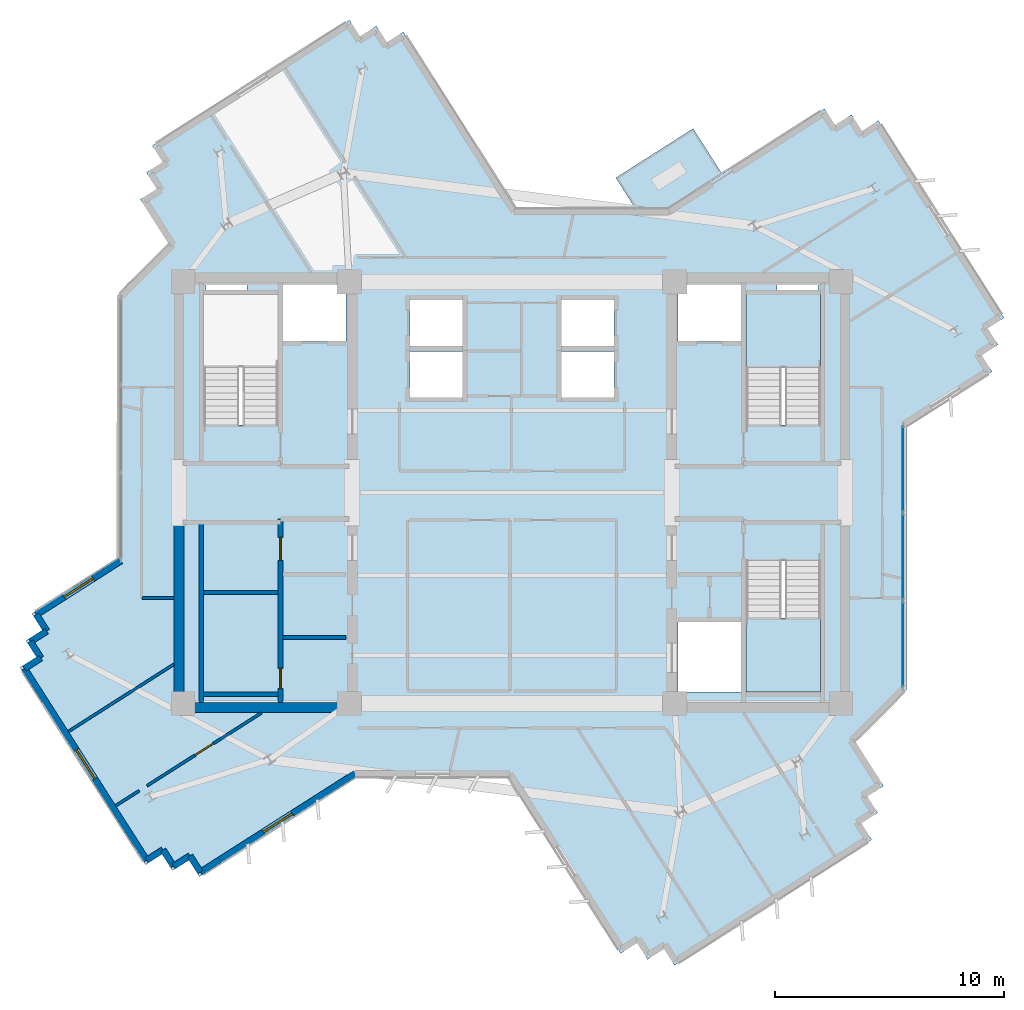
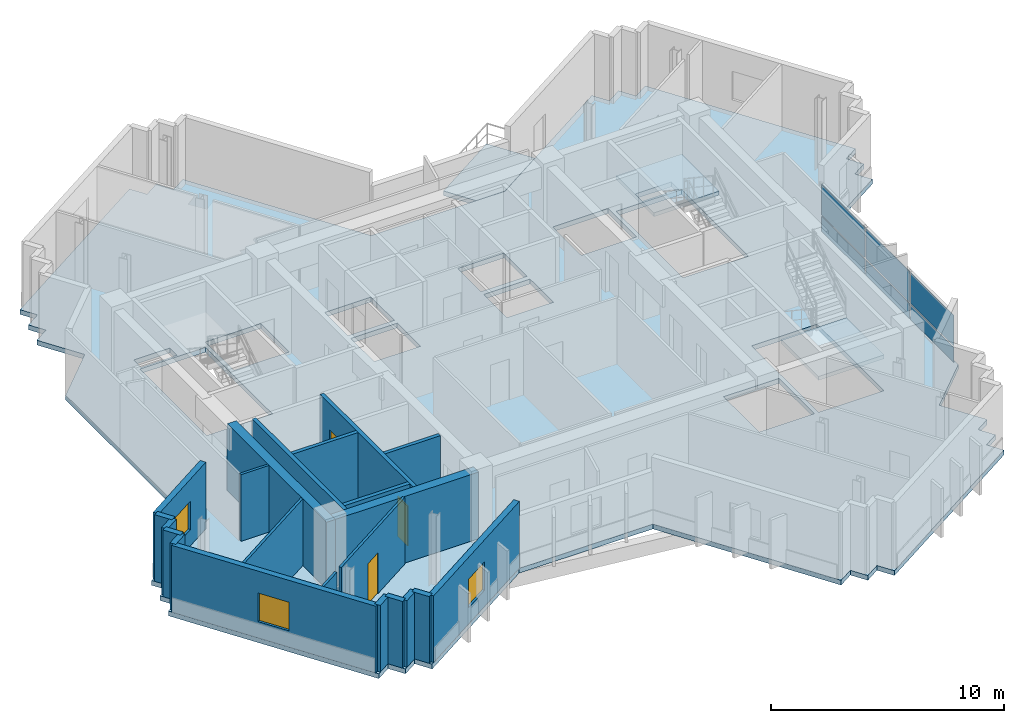
# One storey, part 4 of 12: 22 walls, 6 plates, 4 slabs, 3 doors, 3 windows, 6 openings, 3 elements without a shape of their own.
"""IFC4 building model written with IfcOpenShell, lengths in metres."""

from ifc_helpers import new_model, si_unit, direction, frame, frame_2d, origin, origin_2d, place, context, subcontext, project, spatial, polyline, rectangle, outline, extrude, source, transform, mapped, material, layer, layer_set, type_object, element, fill, aggregate, save


model = new_model("IFC4")

# Units and contexts
model_context = context("Model", 3, precision=1e-05, world=origin(), true_north=direction((0.0, 1.0)))
body_context = subcontext(model_context, "Body", "Model", "MODEL_VIEW")
ifc_project = project(units=[si_unit("LENGTHUNIT", "METRE"), si_unit("AREAUNIT", "SQUARE_METRE"), si_unit("VOLUMEUNIT", "CUBIC_METRE"), si_unit("PLANEANGLEUNIT", "RADIAN"), si_unit("MASSUNIT", "GRAM", prefix="KILO")], contexts=[model_context])

# Site, building, storey
site_placement = place(None, origin())
site = spatial("IfcSite", under=ifc_project, at=site_placement, CompositionType="ELEMENT")
building_placement = place(site_placement, origin())
building = spatial("IfcBuilding", under=site, at=building_placement, Name="Zahravan Cultural Tower", CompositionType="ELEMENT")
storey_placement = place(building_placement, frame((0.0, 0.0, 261.60009765625)))
storey = spatial("IfcBuildingStorey", under=building, at=storey_placement, Name="L62", CompositionType="ELEMENT", Elevation=261.60009765625)

# Stair, slab
ifc_material_1 = material(Name="Concrete C45/55", Category="concrete")
stair_type = type_object("IfcStairType", Name="STR-DL-1550-375", PredefinedType="HALF_TURN_STAIR", material=ifc_material_1)
stair_1_placement = place(storey_placement, origin())
stair_1 = element("IfcStair", 1, at=stair_1_placement, inside=storey, type_object=stair_type, Name="L62 East Core North Exit Stair ST-E1", PredefinedType="HALF_TURN_STAIR")
ifc_layer_1 = layer(ifc_material_1, 0.199951171875)
ifc_layer_set_1 = layer_set([ifc_layer_1], Name="Concrete C45/55")
slab_type_1 = type_object("IfcSlabType", Name="SL-STAIR-LND200", PredefinedType="LANDING", material=ifc_layer_set_1)
slab_1_placement = place(storey_placement, frame((0.0, 0.0, 1.6748046875)))
slab_1 = element("IfcSlab", 2, at=slab_1_placement, type_object=slab_type_1, Name="ST-E1 landing 1", PredefinedType="LANDING", context=body_context, shape_type="SweptSolid", body=[
    extrude(outline(polyline([(49.449951171875, 32.469970703125), (49.449951171875, 35.699951171875), (46.199951171875, 35.699951171875), (46.199951171875, 32.469970703125), (49.449951171875, 32.469970703125)])), origin(), (0.0, 0.0, 1.0), 0.2001953125),
])
aggregate(stair_1, [slab_1])

stair_2_placement = place(storey_placement, origin())
stair_2 = element("IfcStair", 3, at=stair_2_placement, inside=storey, type_object=stair_type, Name="L62 East Core South Exit Stair ST-E2", PredefinedType="HALF_TURN_STAIR")
slab_2_placement = place(storey_placement, frame((0.0, 0.0, 1.6748046875)))
slab_2 = element("IfcSlab", 4, at=slab_2_placement, type_object=slab_type_1, Name="ST-E2 landing 1", PredefinedType="LANDING", context=body_context, shape_type="SweptSolid", body=[
    extrude(outline(polyline([(46.199951171875, 21.530029296875), (46.199951171875, 18.300048828125), (49.449951171875, 18.300048828125), (49.449951171875, 21.530029296875), (46.199951171875, 21.530029296875)])), origin(), (0.0, 0.0, 1.0), 0.2001953125),
])
aggregate(stair_2, [slab_2])

# Slabs
ifc_material_2 = material(Name="Concrete C40/50", Category="concrete")
ifc_layer_2 = layer(ifc_material_2, 0.239990234375)
ifc_layer_set_2 = layer_set([ifc_layer_2], Name="Concrete C40/50")
slab_type_2 = type_object("IfcSlabType", Name="SL-TERR-240", PredefinedType="FLOOR", material=ifc_layer_set_2)
slab_3_placement = place(storey_placement, frame((0.0, 0.0, -0.239990234375)))
element("IfcSlab", 5, at=slab_3_placement, inside=storey, type_object=slab_type_2, Name="L62 Planted Sculpture Terrace NE", PredefinedType="FLOOR", context=body_context, shape_type="SweptSolid", body=[
    extrude(outline(polyline([(40.52978515625, 40.73486328125), (41.376708984375, 39.405029296875), (42.806884765625, 39.405029296875), (45.1630859375, 40.90625), (43.9033203125, 42.884033203125), (40.52978515625, 40.73486328125)])), origin(), (0.0, 0.0, 1.0), 0.239990234375),
])
ifc_layer_3 = layer(ifc_material_2, 0.25)
ifc_layer_set_3 = layer_set([ifc_layer_3], Name="Concrete C40/50")
slab_type_3 = type_object("IfcSlabType", Name="SL-TYP-250", PredefinedType="FLOOR", material=ifc_layer_set_3)
slab_4_placement = place(storey_placement, frame((0.0, 0.0, -0.25)))
element("IfcSlab", 6, at=slab_4_placement, inside=storey, type_object=slab_type_3, Name="L62 Structural Floor Slab", PredefinedType="FLOOR", context=body_context, shape_type="SweptSolid", body=[
    extrude(outline(polyline([(42.80810546875, 39.39990234375), (36.1630859375, 39.39990234375), (31.2578125, 47.099853515625), (30.540771484375, 46.64306640625), (30.083984375, 47.35986328125), (29.3671875, 46.9033203125), (28.910400390625, 47.6201171875), (20.30810546875, 42.1396484375), (20.7646484375, 41.4228515625), (20.0478515625, 40.966064453125), (20.50439453125, 40.249267578125), (19.78759765625, 39.79248046875), (21.034912109375, 37.834716796875), (18.800048828125, 35.60009765625), (18.800048828125, 24.10498046875), (15.056884765625, 21.720458984375), (15.513427734375, 21.00341796875), (14.796630859375, 20.546875), (15.25341796875, 19.829833984375), (14.53662109375, 19.373291015625), (20.016845703125, 10.770751953125), (20.73388671875, 11.227294921875), (21.1904296875, 10.510498046875), (21.907470703125, 10.96728515625), (22.364013671875, 10.250244140625), (29.19189453125, 14.60009765625), (35.8369140625, 14.60009765625), (40.7421875, 6.900146484375), (41.459228515625, 7.35693359375), (41.916015625, 6.64013671875), (42.6328125, 7.0966796875), (43.089599609375, 6.3798828125), (51.69189453125, 11.8603515625), (51.2353515625, 12.5771484375), (51.9521484375, 13.033935546875), (51.49560546875, 13.750732421875), (52.21240234375, 14.20751953125), (50.965087890625, 16.165283203125), (53.199951171875, 18.39990234375), (53.199951171875, 29.89501953125), (56.943115234375, 32.279541015625), (56.486572265625, 32.99658203125), (57.203369140625, 33.453125), (56.74658203125, 34.170166015625), (57.46337890625, 34.626708984375), (51.983154296875, 43.229248046875), (51.26611328125, 42.772705078125), (50.8095703125, 43.489501953125), (50.092529296875, 43.03271484375), (49.635986328125, 43.749755859375), (42.80810546875, 39.39990234375)]), holes=[polyline([(22.550048828125, 29.949951171875), (22.550048828125, 35.699951171875), (25.800048828125, 35.699951171875), (25.800048828125, 29.949951171875), (22.550048828125, 29.949951171875)]), polyline([(46.199951171875, 29.949951171875), (46.199951171875, 35.699951171875), (49.449951171875, 35.699951171875), (49.449951171875, 29.949951171875), (46.199951171875, 29.949951171875)]), polyline([(46.199951171875, 18.300048828125), (46.199951171875, 24.050048828125), (49.449951171875, 24.050048828125), (49.449951171875, 18.300048828125), (46.199951171875, 18.300048828125)]), polyline([(26.0, 33.60009765625), (26.0, 36.050048828125), (28.75, 36.050048828125), (28.75, 33.60009765625), (26.0, 33.60009765625)]), polyline([(43.25, 33.60009765625), (43.25, 36.050048828125), (46.0, 36.050048828125), (46.0, 33.60009765625), (43.25, 33.60009765625)]), polyline([(43.25, 18.300048828125), (43.25, 21.35009765625), (46.0, 21.35009765625), (46.0, 18.300048828125), (43.25, 18.300048828125)]), polyline([(31.550048828125, 33.39990234375), (31.550048828125, 35.39990234375), (33.85009765625, 35.39990234375), (33.85009765625, 33.39990234375), (31.550048828125, 33.39990234375)]), polyline([(31.550048828125, 31.14990234375), (31.550048828125, 33.14990234375), (33.85009765625, 33.14990234375), (33.85009765625, 31.14990234375), (31.550048828125, 31.14990234375)]), polyline([(38.14990234375, 33.39990234375), (38.14990234375, 35.39990234375), (40.449951171875, 35.39990234375), (40.449951171875, 33.39990234375), (38.14990234375, 33.39990234375)]), polyline([(38.14990234375, 31.14990234375), (38.14990234375, 33.14990234375), (40.449951171875, 33.14990234375), (40.449951171875, 31.14990234375), (38.14990234375, 31.14990234375)]), polyline([(22.64990234375, 35.800048828125), (22.64990234375, 36.419921875), (24.449951171875, 36.419921875), (24.449951171875, 35.800048828125), (22.64990234375, 35.800048828125)]), polyline([(47.550048828125, 35.800048828125), (47.550048828125, 36.419921875), (49.35009765625, 36.419921875), (49.35009765625, 35.800048828125), (47.550048828125, 35.800048828125)])]), origin(), (0.0, 0.0, 1.0), 0.25),
])

# Curtain wall, plates
ifc_material_3 = material(Name="Anodised bronze-aluminium mullion", Category="aluminium")
ifc_layer_4 = layer(ifc_material_3, 0.219970703125)
ifc_layer_set_4 = layer_set([ifc_layer_4], Name="Anodised bronze-aluminium mullion")
curtain_wall_type = type_object("IfcCurtainWallType", Name="CW-SYS-1", PredefinedType="USERDEFINED", material=ifc_layer_set_4)
curtain_wall_placement = place(storey_placement, origin())
curtain_wall = element("IfcCurtainWall", 7, at=curtain_wall_placement, inside=storey, type_object=curtain_wall_type, Name="L62 Recessed Curtain Wall CW-1.1", ObjectType="RECESSED GLAZING", PredefinedType="USERDEFINED")
ifc_material_4 = material(Name="Low-E solar-control double glazing", Category="glass")
ifc_layer_5 = layer(ifc_material_4, 0.031982421875)
ifc_layer_set_5 = layer_set([ifc_layer_5], Name="Low-E solar-control double glazing")
plate_type = type_object("IfcPlateType", Name="CWP-CW-1", PredefinedType="CURTAIN_PANEL", material=ifc_layer_set_5)
shared_shape_1 = source(origin(), body_context, "Body", "SweptSolid", [
    extrude(rectangle(XDim=3.718017578125, YDim=0.031982421875, at=origin_2d()), origin(), (0.0, 0.0, 1.0), 0.780029296875),
])
plate_1_placement = place(storey_placement, frame((53.06005859375, 28.03271484375, 0.080078125), z_axis=(0.0, 0.0, 1.0), x_axis=(0.0, -1.0, 0.0)))
plate_1 = element("IfcPlate", 8, at=plate_1_placement, type_object=plate_type, Name="CW-1 panel 1.1", PredefinedType="CURTAIN_PANEL", context=body_context, shape_type="MappedRepresentation", body=[
    mapped(shared_shape_1, transform((0.0, 0.0, 0.0), x_axis=(1.0, 0.0, 0.0), y_axis=(0.0, 1.0, 0.0), z_axis=(0.0, 0.0, 1.0), scale=1.0)),
])
plate_2_placement = place(storey_placement, frame((53.06005859375, 20.39697265625, 0.080078125), z_axis=(0.0, 0.0, 1.0), x_axis=(0.0, -1.0, 0.0)))
plate_2 = element("IfcPlate", 9, at=plate_2_placement, type_object=plate_type, Name="CW-1 panel 3.1", PredefinedType="CURTAIN_PANEL", context=body_context, shape_type="MappedRepresentation", body=[
    mapped(shared_shape_1, transform((0.0, 0.0, 0.0), x_axis=(1.0, 0.0, 0.0), y_axis=(0.0, 1.0, 0.0), z_axis=(0.0, 0.0, 1.0), scale=1.0)),
])
shared_shape_2 = source(origin(), body_context, "Body", "SweptSolid", [
    extrude(rectangle(XDim=3.718017578125, YDim=0.031982421875, at=origin_2d()), origin(), (0.0, 0.0, 1.0), 1.60009765625),
])
plate_3_placement = place(storey_placement, frame((53.06005859375, 28.03271484375, 0.93994140625), z_axis=(0.0, 0.0, 1.0), x_axis=(0.0, -1.0, 0.0)))
plate_3 = element("IfcPlate", 10, at=plate_3_placement, type_object=plate_type, Name="CW-1 panel 1.2", PredefinedType="CURTAIN_PANEL", context=body_context, shape_type="MappedRepresentation", body=[
    mapped(shared_shape_2, transform((0.0, 0.0, 0.0), x_axis=(1.0, 0.0, 0.0), y_axis=(0.0, 1.0, 0.0), z_axis=(0.0, 0.0, 1.0), scale=1.0)),
])
plate_4_placement = place(storey_placement, frame((53.06005859375, 20.39697265625, 0.93994140625), z_axis=(0.0, 0.0, 1.0), x_axis=(0.0, -1.0, 0.0)))
plate_4 = element("IfcPlate", 11, at=plate_4_placement, type_object=plate_type, Name="CW-1 panel 3.2", PredefinedType="CURTAIN_PANEL", context=body_context, shape_type="MappedRepresentation", body=[
    mapped(shared_shape_2, transform((0.0, 0.0, 0.0), x_axis=(1.0, 0.0, 0.0), y_axis=(0.0, 1.0, 0.0), z_axis=(0.0, 0.0, 1.0), scale=1.0)),
])
shared_shape_3 = source(origin(), body_context, "Body", "SweptSolid", [
    extrude(rectangle(XDim=3.7578125, YDim=0.031982421875, at=origin_2d()), origin(), (0.0, 0.0, 1.0), 0.780029296875),
])
plate_5_placement = place(storey_placement, frame((53.06005859375, 24.21484375, 0.080078125), z_axis=(0.0, 0.0, 1.0), x_axis=(0.0, -1.0, 0.0)))
plate_5 = element("IfcPlate", 12, at=plate_5_placement, type_object=plate_type, Name="CW-1 panel 2.1", PredefinedType="CURTAIN_PANEL", context=body_context, shape_type="MappedRepresentation", body=[
    mapped(shared_shape_3, transform((0.0, 0.0, 0.0), x_axis=(1.0, 0.0, 0.0), y_axis=(0.0, 1.0, 0.0), z_axis=(0.0, 0.0, 1.0), scale=1.0)),
])
shared_shape_4 = source(origin(), body_context, "Body", "SweptSolid", [
    extrude(rectangle(XDim=3.7578125, YDim=0.031982421875, at=origin_2d()), origin(), (0.0, 0.0, 1.0), 1.60009765625),
])
plate_6_placement = place(storey_placement, frame((53.06005859375, 24.21484375, 0.93994140625), z_axis=(0.0, 0.0, 1.0), x_axis=(0.0, -1.0, 0.0)))
plate_6 = element("IfcPlate", 13, at=plate_6_placement, type_object=plate_type, Name="CW-1 panel 2.2", PredefinedType="CURTAIN_PANEL", context=body_context, shape_type="MappedRepresentation", body=[
    mapped(shared_shape_4, transform((0.0, 0.0, 0.0), x_axis=(1.0, 0.0, 0.0), y_axis=(0.0, 1.0, 0.0), z_axis=(0.0, 0.0, 1.0), scale=1.0)),
])
aggregate(curtain_wall, [plate_1, plate_3, plate_5, plate_6, plate_2, plate_4])

# Wall, opening, window
ifc_material_5 = material(Name="Precast concrete C40/50", Category="concrete")
ifc_layer_6 = layer(ifc_material_5, 0.280029296875)
ifc_layer_set_6 = layer_set([ifc_layer_6], Name="Precast concrete C40/50")
wall_type_1 = type_object("IfcWallType", Name="EW-TC-280", PredefinedType="SOLIDWALL", material=ifc_layer_set_6)
wall_1_placement = place(storey_placement, frame((29.15087890625, 14.739990234375, 0.0), z_axis=(0.0, 0.0, 1.0), x_axis=(-0.843388565396, -0.537304129669, 0.0)))
wall_1 = element("IfcWall", 14, at=wall_1_placement, inside=storey, type_object=wall_type_1, Name="L62 Exterior Masonry Frame Wall 25", PredefinedType="SOLIDWALL", context=body_context, shape_type="SweptSolid", body=[
    extrude(rectangle(XDim=7.99609375, YDim=0.280029296875, at=frame_2d((3.998046875, 0.0))), origin(), (0.0, 0.0, 1.0), 3.5),
])
opening_1_placement = place(wall_1_placement, frame((3.248046875, 0.0, 0.85009765625)))
opening_1 = element("IfcOpeningElement", 15, at=opening_1_placement, cuts=wall_1, Name="Opening WN-03", PredefinedType="OPENING", context=body_context, shape_type="SweptSolid", body=[
    extrude(rectangle(XDim=1.5, YDim=1.5, at=frame_2d((0.75, 0.75))), frame((0.0, 0.14990234375, 0.0), z_axis=(0.0, -1.0, 0.0), x_axis=(1.0, 0.0, 0.0)), (0.0, 0.0, 1.0), 0.300048828125),
])
window_type = type_object("IfcWindowType", Name="WN-REC-1500X1500", PartitioningType="SINGLE_PANEL", PredefinedType="WINDOW", material=ifc_material_4)
shared_shape_5 = source(origin(), body_context, "Body", "SweptSolid", [
    extrude(rectangle(XDim=1.5, YDim=1.5, at=frame_2d((0.75, 0.75))), frame((0.0, 0.030029296875, 0.0), z_axis=(0.0, -1.0, 0.0), x_axis=(1.0, 0.0, 0.0)), (0.0, 0.0, 1.0), 0.06005859375),
])
window_1_placement = place(opening_1_placement, origin())
window_1 = element("IfcWindow", 16, at=window_1_placement, inside=storey, type_object=window_type, Name="L62 Recessed Solar Window 05", OverallHeight=1.5, OverallWidth=1.5, PartitioningType="SINGLE_PANEL", PredefinedType="WINDOW", context=body_context, shape_type="MappedRepresentation", body=[
    mapped(shared_shape_5, transform((0.0, 0.0, 0.0), x_axis=(1.0, 0.0, 0.0), y_axis=(0.0, 1.0, 0.0), z_axis=(0.0, 0.0, 1.0), scale=1.0)),
])
fill(opening_1, window_1)

wall_2_placement = place(storey_placement, frame((20.059814453125, 10.964111328125, 0.0), z_axis=(0.0, 0.0, 1.0), x_axis=(-0.537314949054, 0.843381672508, 0.0)))
wall_2 = element("IfcWall", 17, at=wall_2_placement, inside=storey, type_object=wall_type_1, Name="L62 Exterior Masonry Frame Wall 30", PredefinedType="SOLIDWALL", context=body_context, shape_type="SweptSolid", body=[
    extrude(rectangle(XDim=9.919921875, YDim=0.280029296875, at=frame_2d((4.9599609375, 0.0))), origin(), (0.0, 0.0, 1.0), 3.5),
])
opening_2_placement = place(wall_2_placement, frame((4.2099609375, 0.0, 0.85009765625)))
opening_2 = element("IfcOpeningElement", 18, at=opening_2_placement, cuts=wall_2, Name="Opening WN-03", PredefinedType="OPENING", context=body_context, shape_type="SweptSolid", body=[
    extrude(rectangle(XDim=1.5, YDim=1.5, at=frame_2d((0.75, 0.75))), frame((0.0, 0.14990234375, 0.0), z_axis=(0.0, -1.0, 0.0), x_axis=(1.0, 0.0, 0.0)), (0.0, 0.0, 1.0), 0.300048828125),
])
window_2_placement = place(opening_2_placement, origin())
window_2 = element("IfcWindow", 19, at=window_2_placement, inside=storey, type_object=window_type, Name="L62 Recessed Solar Window 06", OverallHeight=1.5, OverallWidth=1.5, PartitioningType="SINGLE_PANEL", PredefinedType="WINDOW", context=body_context, shape_type="MappedRepresentation", body=[
    mapped(shared_shape_5, transform((0.0, 0.0, 0.0), x_axis=(1.0, 0.0, 0.0), y_axis=(0.0, 1.0, 0.0), z_axis=(0.0, 0.0, 1.0), scale=1.0)),
])
fill(opening_2, window_2)

wall_3_placement = place(storey_placement, frame((15.25, 21.677490234375, 0.0), z_axis=(0.0, 0.0, 1.0), x_axis=(0.843383352012, 0.537312312857, 0.0)))
wall_3 = element("IfcWall", 20, at=wall_3_placement, inside=storey, type_object=wall_type_1, Name="L62 Exterior Masonry Frame Wall 35", PredefinedType="SOLIDWALL", context=body_context, shape_type="SweptSolid", body=[
    extrude(rectangle(XDim=4.375244140625, YDim=0.280029296875, at=frame_2d((2.1875, 0.0))), origin(), (0.0, 0.0, 1.0), 3.5),
])
opening_3_placement = place(wall_3_placement, frame((1.43798828125, 0.0, 0.85009765625)))
opening_3 = element("IfcOpeningElement", 21, at=opening_3_placement, cuts=wall_3, Name="Opening WN-03", PredefinedType="OPENING", context=body_context, shape_type="SweptSolid", body=[
    extrude(rectangle(XDim=1.5, YDim=1.5, at=frame_2d((0.75, 0.75))), frame((0.0, 0.14990234375, 0.0), z_axis=(0.0, -1.0, 0.0), x_axis=(1.0, 0.0, 0.0)), (0.0, 0.0, 1.0), 0.300048828125),
])
window_3_placement = place(opening_3_placement, origin())
window_3 = element("IfcWindow", 22, at=window_3_placement, inside=storey, type_object=window_type, Name="L62 Recessed Solar Window 07", OverallHeight=1.5, OverallWidth=1.5, PartitioningType="SINGLE_PANEL", PredefinedType="WINDOW", context=body_context, shape_type="MappedRepresentation", body=[
    mapped(shared_shape_5, transform((0.0, 0.0, 0.0), x_axis=(1.0, 0.0, 0.0), y_axis=(0.0, 1.0, 0.0), z_axis=(0.0, 0.0, 1.0), scale=1.0)),
])
fill(opening_3, window_3)

# Wall, opening, door
ifc_material_6 = material(Name="Gypsum plasterboard partition")
ifc_layer_7 = layer(ifc_material_6, 0.125)
ifc_layer_set_7 = layer_set([ifc_layer_7], Name="Gypsum plasterboard partition")
wall_type_2 = type_object("IfcWallType", Name="W-PART-125", PredefinedType="PARTITIONING", material=ifc_layer_set_7)
wall_4_placement = place(storey_placement, frame((25.073486328125, 17.39501953125, 0.0), z_axis=(0.0, 0.0, 1.0), x_axis=(-0.843398332862, -0.537288797693, 0.0)))
wall_4 = element("IfcWall", 23, at=wall_4_placement, inside=storey, type_object=wall_type_2, Name="L62 Interior Wall 058", PredefinedType="PARTITIONING", context=body_context, shape_type="SweptSolid", body=[
    extrude(rectangle(XDim=5.923583984375, YDim=0.125, at=frame_2d((2.9619140625, 0.0))), origin(), (0.0, 0.0, 1.0), 3.5),
])
opening_4_placement = place(wall_4_placement, frame((2.48681640625, 0.0, 0.0)))
opening_4 = element("IfcOpeningElement", 24, at=opening_4_placement, cuts=wall_4, Name="Opening D-L62-32", PredefinedType="OPENING", context=body_context, shape_type="SweptSolid", body=[
    extrude(rectangle(XDim=0.949951171875, YDim=2.14990234375, at=frame_2d((0.47509765625, 1.074951171875))), frame((0.0, 0.072509765625, 0.0), z_axis=(0.0, -1.0, 0.0), x_axis=(1.0, 0.0, 0.0)), (0.0, 0.0, 1.0), 0.14501953125),
])
door_type_1 = type_object("IfcDoorType", Name="DR-ROOM-950", OperationType="NOTDEFINED", PredefinedType="DOOR", material=ifc_material_3)
shared_shape_6 = source(origin(), body_context, "Body", "SweptSolid", [
    extrude(rectangle(XDim=0.949951171875, YDim=2.14990234375, at=frame_2d((0.47509765625, 1.074951171875))), frame((0.0, 0.02490234375, 0.0), z_axis=(0.0, -1.0, 0.0), x_axis=(1.0, 0.0, 0.0)), (0.0, 0.0, 1.0), 0.050048828125),
])
door_1_placement = place(opening_4_placement, origin())
door_1 = element("IfcDoor", 25, at=door_1_placement, inside=storey, type_object=door_type_1, Name="L62 Door D-L62-32", OperationType="SINGLE_SWING_RIGHT", OverallHeight=2.14990234375, OverallWidth=0.949951171875, PredefinedType="DOOR", context=body_context, shape_type="MappedRepresentation", body=[
    mapped(shared_shape_6, transform((0.0, 0.0, 0.0), x_axis=(1.0, 0.0, 0.0), y_axis=(0.0, 1.0, 0.0), z_axis=(0.0, 0.0, 1.0), scale=1.0)),
])
fill(opening_4, door_1)

# Wall, openings, doors
ifc_layer_8 = layer(ifc_material_1, 0.199951171875)
ifc_layer_set_8 = layer_set([ifc_layer_8], Name="Concrete C45/55")
wall_type_3 = type_object("IfcWallType", Name="W-SHAFT-200", PredefinedType="SOLIDWALL", material=ifc_layer_set_8)
wall_5_placement = place(storey_placement, frame((25.89990234375, 17.85009765625, 0.0), z_axis=(0.0, 0.0, 1.0), x_axis=(0.0, 1.0, 0.0)))
wall_5 = element("IfcWall", 26, at=wall_5_placement, inside=storey, type_object=wall_type_3, Name="L62 Interior Wall 005", PredefinedType="SOLIDWALL", context=body_context, shape_type="SweptSolid", body=[
    extrude(rectangle(XDim=8.0, YDim=0.199951171875, at=frame_2d((4.0, 0.0))), origin(), (0.0, 0.0, 1.0), 3.5),
])
opening_5_placement = place(wall_5_placement, frame((6.199951171875, 0.0, 0.0)))
opening_5 = element("IfcOpeningElement", 27, at=opening_5_placement, cuts=wall_5, Name="Opening D-L62-04", PredefinedType="OPENING", context=body_context, shape_type="SweptSolid", body=[
    extrude(rectangle(XDim=1.0, YDim=2.14990234375, at=frame_2d((0.5, 1.074951171875))), frame((0.0, 0.10986328125, 0.0), z_axis=(0.0, -1.0, 0.0), x_axis=(1.0, 0.0, 0.0)), (0.0, 0.0, 1.0), 0.219970703125),
])
opening_6_placement = place(wall_5_placement, frame((0.60009765625, 0.0, 0.0)))
opening_6 = element("IfcOpeningElement", 28, at=opening_6_placement, cuts=wall_5, Name="Opening D-L62-05", PredefinedType="OPENING", context=body_context, shape_type="SweptSolid", body=[
    extrude(rectangle(XDim=0.8798828125, YDim=2.10009765625, at=frame_2d((0.43994140625, 1.050048828125))), frame((0.0, 0.10986328125, 0.0), z_axis=(0.0, -1.0, 0.0), x_axis=(1.0, 0.0, 0.0)), (0.0, 0.0, 1.0), 0.219970703125),
])
ifc_material_7 = material(Name="Steel ASTM A572 Grade 50", Category="steel")
door_type_2 = type_object("IfcDoorType", Name="DR-SVC-880", OperationType="NOTDEFINED", PredefinedType="DOOR", material=ifc_material_7)
shared_shape_7 = source(origin(), body_context, "Body", "SweptSolid", [
    extrude(rectangle(XDim=0.8798828125, YDim=2.10009765625, at=frame_2d((0.43994140625, 1.050048828125))), frame((0.0, 0.02490234375, 0.0), z_axis=(0.0, -1.0, 0.0), x_axis=(1.0, 0.0, 0.0)), (0.0, 0.0, 1.0), 0.050048828125),
])
door_2_placement = place(opening_6_placement, origin())
door_2 = element("IfcDoor", 29, at=door_2_placement, inside=storey, type_object=door_type_2, Name="L62 Door D-L62-05", OperationType="SINGLE_SWING_LEFT", OverallHeight=2.10009765625, OverallWidth=0.8798828125, PredefinedType="DOOR", context=body_context, shape_type="MappedRepresentation", body=[
    mapped(shared_shape_7, transform((0.0, 0.0, 0.0), x_axis=(1.0, 0.0, 0.0), y_axis=(0.0, 1.0, 0.0), z_axis=(0.0, 0.0, 1.0), scale=1.0)),
])
fill(opening_6, door_2)
door_type_3 = type_object("IfcDoorType", Name="DR-COMP-1000", OperationType="NOTDEFINED", PredefinedType="DOOR", material=ifc_material_7)
shared_shape_8 = source(origin(), body_context, "Body", "SweptSolid", [
    extrude(rectangle(XDim=1.0, YDim=2.14990234375, at=frame_2d((0.5, 1.074951171875))), frame((0.0, 0.02490234375, 0.0), z_axis=(0.0, -1.0, 0.0), x_axis=(1.0, 0.0, 0.0)), (0.0, 0.0, 1.0), 0.050048828125),
])
door_3_placement = place(opening_5_placement, origin())
door_3 = element("IfcDoor", 30, at=door_3_placement, inside=storey, type_object=door_type_3, Name="L62 Door D-L62-04", OperationType="SINGLE_SWING_RIGHT", OverallHeight=2.14990234375, OverallWidth=1.0, PredefinedType="DOOR", context=body_context, shape_type="MappedRepresentation", body=[
    mapped(shared_shape_8, transform((0.0, 0.0, 0.0), x_axis=(1.0, 0.0, 0.0), y_axis=(0.0, 1.0, 0.0), z_axis=(0.0, 0.0, 1.0), scale=1.0)),
])
fill(opening_5, door_3)

# Walls
ifc_material_8 = material(Name="Concrete C50/60", Category="concrete")
ifc_layer_9 = layer(ifc_material_8, 0.449951171875)
ifc_layer_set_9 = layer_set([ifc_layer_9], Name="Concrete C50/60")
wall_type_4 = type_object("IfcWallType", Name="CW-SHEAR-450-C50", PredefinedType="SHEAR", material=ifc_layer_set_9)
shared_shape_9 = source(origin(), body_context, "Body", "SweptSolid", [
    extrude(rectangle(XDim=8.550048828125, YDim=0.449951171875, at=frame_2d((4.27490234375, 0.0))), origin(), (0.0, 0.0, 1.0), 3.5),
])
wall_6_placement = place(storey_placement, frame((21.47509765625, 17.39990234375, 0.0), z_axis=(0.0, 0.0, 1.0), x_axis=(0.0, 1.0, 0.0)))
element("IfcWall", 31, at=wall_6_placement, inside=storey, type_object=wall_type_4, Name="L62 Core Shear Wall CW-W-WS-L62", PredefinedType="SHEAR", context=body_context, shape_type="MappedRepresentation", body=[
    mapped(shared_shape_9, transform((0.0, 0.0, 0.0), x_axis=(1.0, 0.0, 0.0), y_axis=(0.0, 1.0, 0.0), z_axis=(0.0, 0.0, 1.0), scale=1.0)),
])
shared_shape_10 = source(origin(), body_context, "Body", "SweptSolid", [
    extrude(rectangle(XDim=7.10009765625, YDim=0.449951171875, at=frame_2d((3.550048828125, 0.0))), origin(), (0.0, 0.0, 1.0), 3.5),
])
wall_7_placement = place(storey_placement, frame((21.699951171875, 17.625, 0.0), z_axis=(0.0, 0.0, 1.0), x_axis=(1.0, 0.0, 0.0)))
element("IfcWall", 32, at=wall_7_placement, inside=storey, type_object=wall_type_4, Name="L62 Core Shear Wall CW-W-S-L62", PredefinedType="SHEAR", context=body_context, shape_type="MappedRepresentation", body=[
    mapped(shared_shape_10, transform((0.0, 0.0, 0.0), x_axis=(1.0, 0.0, 0.0), y_axis=(0.0, 1.0, 0.0), z_axis=(0.0, 0.0, 1.0), scale=1.0)),
])
shared_shape_11 = source(origin(), body_context, "Body", "SweptSolid", [
    extrude(rectangle(XDim=0.85009765625, YDim=0.280029296875, at=frame_2d((0.425048828125, 0.0))), origin(), (0.0, 0.0, 1.0), 3.5),
])
wall_8_placement = place(storey_placement, frame((14.729736328125, 19.330322265625, 0.0), z_axis=(0.0, 0.0, 1.0), x_axis=(0.843401251716, 0.537284215853, 0.0)))
element("IfcWall", 33, at=wall_8_placement, inside=storey, type_object=wall_type_1, Name="L62 Exterior Masonry Frame Wall 31", PredefinedType="SOLIDWALL", context=body_context, shape_type="MappedRepresentation", body=[
    mapped(shared_shape_11, transform((0.0, 0.0, 0.0), x_axis=(1.0, 0.0, 0.0), y_axis=(0.0, 1.0, 0.0), z_axis=(0.0, 0.0, 1.0), scale=1.0)),
])
shared_shape_12 = source(origin(), body_context, "Body", "SweptSolid", [
    extrude(rectangle(XDim=0.849853515625, YDim=0.280029296875, at=frame_2d((0.4248046875, 0.0))), origin(), (0.0, 0.0, 1.0), 3.5),
])
for number, where, z_axis, x_axis, name in (
    (34, (22.406982421875, 10.443603515625, 0.0), (0.0, 0.0, 1.0), (-0.537414368337, 0.843318324659, 0.0), "L62 Exterior Masonry Frame Wall 26"),
    (35, (21.9501953125, 11.160400390625, 0.0), (0.0, 0.0, 1.0), (-0.843448497615, -0.537210044462, 0.0), "L62 Exterior Masonry Frame Wall 27"),
    (36, (21.2333984375, 10.703857421875, 0.0), (0.0, 0.0, 1.0), (-0.537414368337, 0.843318324659, 0.0), "L62 Exterior Masonry Frame Wall 28"),
    (37, (20.776611328125, 11.420654296875, 0.0), (0.0, 0.0, 1.0), (-0.843448497615, -0.537210044462, 0.0), "L62 Exterior Masonry Frame Wall 29"),
    (38, (15.44677734375, 19.787109375, 0.0), (0.0, 0.0, 1.0), (-0.537414368337, 0.843318324659, 0.0), "L62 Exterior Masonry Frame Wall 32"),
    (39, (14.989990234375, 20.50390625, 0.0), (0.0, 0.0, 1.0), (0.843318324659, 0.537414368337, 0.0), "L62 Exterior Masonry Frame Wall 33"),
    (40, (15.706787109375, 20.960693359375, 0.0), (0.0, 0.0, 1.0), (-0.537414368337, 0.843318324659, 0.0), "L62 Exterior Masonry Frame Wall 34"),
):
    element("IfcWall", number, at=place(storey_placement, frame(where, z_axis=z_axis, x_axis=x_axis)), inside=storey, type_object=wall_type_1, Name=name, PredefinedType="SOLIDWALL", context=body_context, shape_type="MappedRepresentation", body=[
        mapped(shared_shape_12, transform((0.0, 0.0, 0.0), x_axis=(1.0, 0.0, 0.0), y_axis=(0.0, 1.0, 0.0), z_axis=(0.0, 0.0, 1.0), scale=1.0)),
    ])
shared_shape_13 = source(origin(), body_context, "Body", "SweptSolid", [
    extrude(rectangle(XDim=7.869873046875, YDim=0.199951171875, at=frame_2d((3.93505859375, 0.0))), origin(), (0.0, 0.0, 1.0), 3.5),
])
wall_9_placement = place(storey_placement, frame((22.449951171875, 17.85009765625, 0.0), z_axis=(0.0, 0.0, 1.0), x_axis=(0.0, 1.0, 0.0)))
element("IfcWall", 41, at=wall_9_placement, inside=storey, type_object=wall_type_3, Name="L62 Interior Wall 001", PredefinedType="SOLIDWALL", context=body_context, shape_type="MappedRepresentation", body=[
    mapped(shared_shape_13, transform((0.0, 0.0, 0.0), x_axis=(1.0, 0.0, 0.0), y_axis=(0.0, 1.0, 0.0), z_axis=(0.0, 0.0, 1.0), scale=1.0)),
])
shared_shape_14 = source(origin(), body_context, "Body", "SweptSolid", [
    extrude(rectangle(XDim=3.25, YDim=0.199951171875, at=frame_2d((1.625, 0.0))), origin(), (0.0, 0.0, 1.0), 3.5),
])
wall_10_placement = place(storey_placement, frame((22.550048828125, 18.199951171875, 0.0), z_axis=(0.0, 0.0, 1.0), x_axis=(1.0, 0.0, 0.0)))
element("IfcWall", 42, at=wall_10_placement, inside=storey, type_object=wall_type_3, Name="L62 Interior Wall 019", PredefinedType="SOLIDWALL", context=body_context, shape_type="MappedRepresentation", body=[
    mapped(shared_shape_14, transform((0.0, 0.0, 0.0), x_axis=(1.0, 0.0, 0.0), y_axis=(0.0, 1.0, 0.0), z_axis=(0.0, 0.0, 1.0), scale=1.0)),
])
ifc_layer_10 = layer(ifc_material_6, 0.179931640625)
ifc_layer_set_10 = layer_set([ifc_layer_10], Name="Gypsum plasterboard partition")
wall_type_5 = type_object("IfcWallType", Name="W-COMP-180", PredefinedType="PARTITIONING", material=ifc_layer_set_10)
shared_shape_15 = source(origin(), body_context, "Body", "SweptSolid", [
    extrude(rectangle(XDim=3.25, YDim=0.179931640625, at=frame_2d((1.625, 0.0))), origin(), (0.0, 0.0, 1.0), 3.5),
])
wall_11_placement = place(storey_placement, frame((22.550048828125, 22.64990234375, 0.0), z_axis=(0.0, 0.0, 1.0), x_axis=(1.0, 0.0, 0.0)))
element("IfcWall", 43, at=wall_11_placement, inside=storey, type_object=wall_type_5, Name="L62 Interior Wall 021", PredefinedType="PARTITIONING", context=body_context, shape_type="MappedRepresentation", body=[
    mapped(shared_shape_15, transform((0.0, 0.0, 0.0), x_axis=(1.0, 0.0, 0.0), y_axis=(0.0, 1.0, 0.0), z_axis=(0.0, 0.0, 1.0), scale=1.0)),
])
shared_shape_16 = source(origin(), body_context, "Body", "SweptSolid", [
    extrude(rectangle(XDim=2.75, YDim=0.179931640625, at=frame_2d((1.375, 0.0))), origin(), (0.0, 0.0, 1.0), 3.5),
])
wall_12_placement = place(storey_placement, frame((26.0, 20.679931640625, 0.0), z_axis=(0.0, 0.0, 1.0), x_axis=(1.0, 0.0, 0.0)))
element("IfcWall", 44, at=wall_12_placement, inside=storey, type_object=wall_type_5, Name="L62 Interior Wall 027", PredefinedType="PARTITIONING", context=body_context, shape_type="MappedRepresentation", body=[
    mapped(shared_shape_16, transform((0.0, 0.0, 0.0), x_axis=(1.0, 0.0, 0.0), y_axis=(0.0, 1.0, 0.0), z_axis=(0.0, 0.0, 1.0), scale=1.0)),
])
shared_shape_17 = source(origin(), body_context, "Body", "SweptSolid", [
    extrude(rectangle(XDim=1.38916015625, YDim=0.125, at=frame_2d((0.694580078125, 0.0))), origin(), (0.0, 0.0, 1.0), 3.5),
])
wall_13_placement = place(storey_placement, frame((19.85595703125, 22.39990234375, 0.0), z_axis=(0.0, 0.0, 1.0), x_axis=(1.0, 0.0, 0.0)))
element("IfcWall", 45, at=wall_13_placement, inside=storey, type_object=wall_type_2, Name="L62 Interior Wall 082", PredefinedType="PARTITIONING", context=body_context, shape_type="MappedRepresentation", body=[
    mapped(shared_shape_17, transform((0.0, 0.0, 0.0), x_axis=(1.0, 0.0, 0.0), y_axis=(0.0, 1.0, 0.0), z_axis=(0.0, 0.0, 1.0), scale=1.0)),
])
shared_shape_18 = source(origin(), body_context, "Body", "SweptSolid", [
    extrude(rectangle(XDim=1.214599609375, YDim=0.125, at=frame_2d((0.607421875, 0.0))), origin(), (0.0, 0.0, 1.0), 3.5),
])
wall_14_placement = place(storey_placement, frame((19.73974609375, 13.9970703125, 0.0), z_axis=(0.0, 0.0, 1.0), x_axis=(-0.84340481812, -0.537278617453, 0.0)))
element("IfcWall", 46, at=wall_14_placement, inside=storey, type_object=wall_type_2, Name="L62 Interior Wall 059", PredefinedType="PARTITIONING", context=body_context, shape_type="MappedRepresentation", body=[
    mapped(shared_shape_18, transform((0.0, 0.0, 0.0), x_axis=(1.0, 0.0, 0.0), y_axis=(0.0, 1.0, 0.0), z_axis=(0.0, 0.0, 1.0), scale=1.0)),
])
shared_shape_19 = source(origin(), body_context, "Body", "SweptSolid", [
    extrude(rectangle(XDim=5.44580078125, YDim=0.125, at=frame_2d((2.722900390625, 0.0))), origin(), (0.0, 0.0, 1.0), 3.5),
])
wall_15_placement = place(storey_placement, frame((16.652099609375, 16.5830078125, 0.0), z_axis=(0.0, 0.0, 1.0), x_axis=(0.843395566027, 0.537293140851, 0.0)))
element("IfcWall", 47, at=wall_15_placement, inside=storey, type_object=wall_type_2, Name="L62 Interior Wall 060", PredefinedType="PARTITIONING", context=body_context, shape_type="MappedRepresentation", body=[
    mapped(shared_shape_19, transform((0.0, 0.0, 0.0), x_axis=(1.0, 0.0, 0.0), y_axis=(0.0, 1.0, 0.0), z_axis=(0.0, 0.0, 1.0), scale=1.0)),
])

save(model, "model.ifc")
